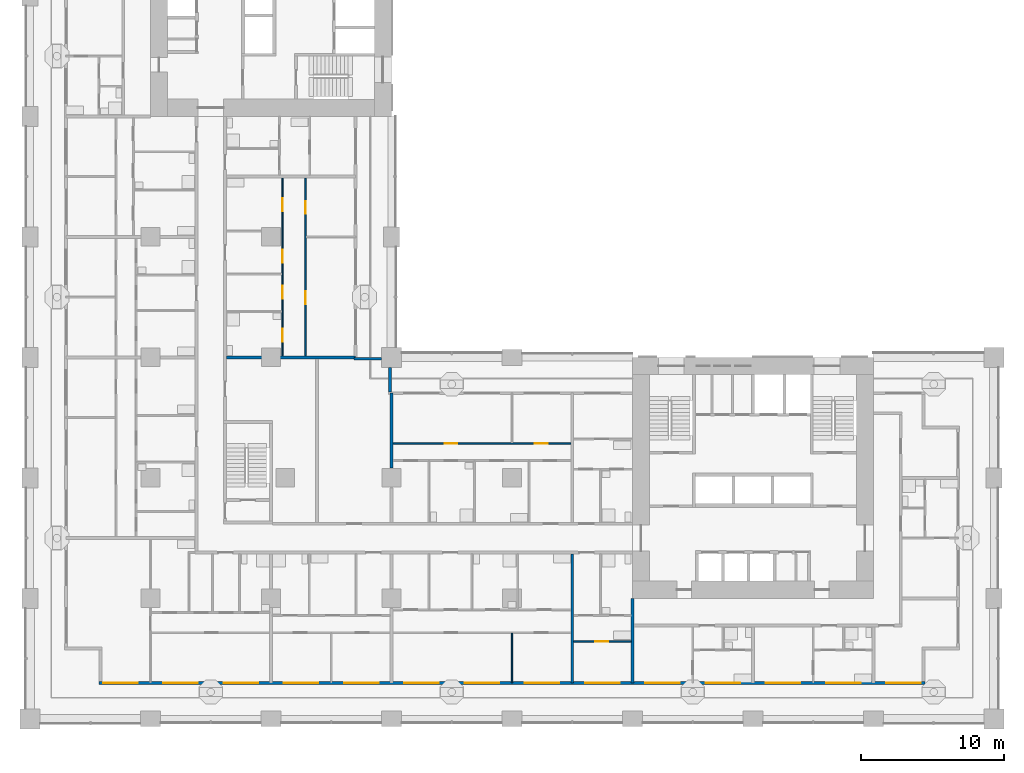
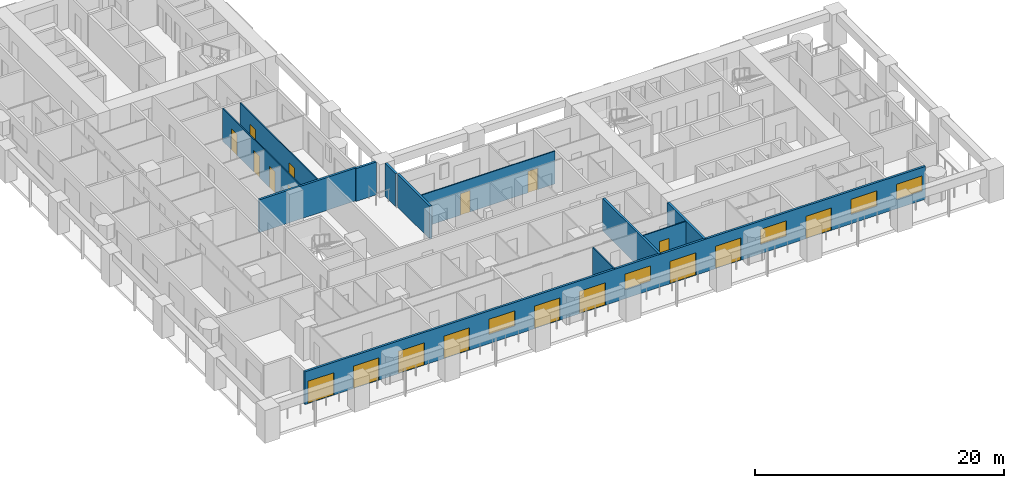
# One storey, part 5 of 22: 18 doors, 12 walls, 5 windows, 23 openings.
"""IFC4 building model written with IfcOpenShell, lengths in metres."""

from ifc_helpers import new_model, si_unit, direction, frame, frame_2d, origin, place, context, subcontext, project, spatial, rectangle, extrude, material, layer, layer_set, type_object, element, fill, save


model = new_model("IFC4")

# Units and contexts
model_context = context("Model", 3, precision=1e-05, world=origin(), true_north=direction((0.0, 1.0)))
body_context = subcontext(model_context, "Body", "Model", "MODEL_VIEW")
ifc_project = project(units=[si_unit("LENGTHUNIT", "METRE"), si_unit("AREAUNIT", "SQUARE_METRE"), si_unit("VOLUMEUNIT", "CUBIC_METRE"), si_unit("PLANEANGLEUNIT", "RADIAN"), si_unit("MASSUNIT", "GRAM", prefix="KILO")], contexts=[model_context])

# Site, building, storey
site_placement = place(None, origin())
site = spatial("IfcSite", under=ifc_project, at=site_placement, CompositionType="ELEMENT")
building_placement = place(site_placement, origin())
building = spatial("IfcBuilding", under=site, at=building_placement, Name="Vermilion Gate Residences", CompositionType="ELEMENT")
storey_placement = place(building_placement, frame((0.0, 0.0, 63.699951171875)))
storey = spatial("IfcBuildingStorey", under=building, at=storey_placement, Name="L15", CompositionType="ELEMENT", Elevation=63.699951171875)

# Wall, openings, doors, windows
ifc_material_1 = material(Name="Insulated steel stud wall with terracotta rainscreen", Category="masonry")
ifc_layer_1 = layer(ifc_material_1, 0.199951171875)
ifc_layer_set_1 = layer_set([ifc_layer_1], Name="EXTERNAL WALL 200 TERRACOTTA RAINSCREEN")
wall_type_1 = type_object("IfcWallType", Name="EXTERNAL WALL 200 TERRACOTTA RAINSCREEN", PredefinedType="SOLIDWALL", material=ifc_layer_set_1)
wall_1_placement = place(storey_placement, frame((4.800048828125, 2.5, 0.0), z_axis=(0.0, 0.0, 1.0), x_axis=(1.0, 0.0, 0.0)))
wall_1 = element("IfcWall", 1, at=wall_1_placement, inside=storey, type_object=wall_type_1, Name="External wall", PredefinedType="SOLIDWALL", context=body_context, shape_type="SweptSolid", body=[
    extrude(rectangle(XDim=57.599853515625, YDim=0.199951171875, at=frame_2d((28.7998046875, 0.0))), origin(), (0.0, 0.0, 1.0), 3.219970703125),
])
opening_1_placement = place(wall_1_placement, frame((0.300048828125, 0.0, 0.0)))
opening_1 = element("IfcOpeningElement", 2, at=opening_1_placement, cuts=wall_1, Name="Opening DE15014", PredefinedType="OPENING", context=body_context, shape_type="SweptSolid", body=[
    extrude(rectangle(XDim=2.39990234375, YDim=2.199951171875, at=frame_2d((1.199951171875, 1.10009765625))), frame((0.0, 0.10986328125, 0.0), z_axis=(0.0, -1.0, 0.0), x_axis=(1.0, 0.0, 0.0)), (0.0, 0.0, 1.0), 0.219970703125),
])
opening_2_placement = place(wall_1_placement, frame((4.5, 0.0, 0.0)))
opening_2 = element("IfcOpeningElement", 3, at=opening_2_placement, cuts=wall_1, Name="Opening DE15015", PredefinedType="OPENING", context=body_context, shape_type="SweptSolid", body=[
    extrude(rectangle(XDim=2.39990234375, YDim=2.199951171875, at=frame_2d((1.199951171875, 1.10009765625))), frame((0.0, 0.10986328125, 0.0), z_axis=(0.0, -1.0, 0.0), x_axis=(1.0, 0.0, 0.0)), (0.0, 0.0, 1.0), 0.219970703125),
])
opening_3_placement = place(wall_1_placement, frame((8.699951171875, 0.0, 0.0)))
opening_3 = element("IfcOpeningElement", 4, at=opening_3_placement, cuts=wall_1, Name="Opening DE15016", PredefinedType="OPENING", context=body_context, shape_type="SweptSolid", body=[
    extrude(rectangle(XDim=2.39990234375, YDim=2.199951171875, at=frame_2d((1.199951171875, 1.10009765625))), frame((0.0, 0.10986328125, 0.0), z_axis=(0.0, -1.0, 0.0), x_axis=(1.0, 0.0, 0.0)), (0.0, 0.0, 1.0), 0.219970703125),
])
opening_4_placement = place(wall_1_placement, frame((12.89990234375, 0.0, 0.0)))
opening_4 = element("IfcOpeningElement", 5, at=opening_4_placement, cuts=wall_1, Name="Opening DE15017", PredefinedType="OPENING", context=body_context, shape_type="SweptSolid", body=[
    extrude(rectangle(XDim=2.39990234375, YDim=2.199951171875, at=frame_2d((1.199951171875, 1.10009765625))), frame((0.0, 0.10986328125, 0.0), z_axis=(0.0, -1.0, 0.0), x_axis=(1.0, 0.0, 0.0)), (0.0, 0.0, 1.0), 0.219970703125),
])
opening_5_placement = place(wall_1_placement, frame((17.10009765625, 0.0, 0.89990234375)))
opening_5 = element("IfcOpeningElement", 6, at=opening_5_placement, cuts=wall_1, Name="Opening WE15018", PredefinedType="OPENING", context=body_context, shape_type="SweptSolid", body=[
    extrude(rectangle(XDim=2.39990234375, YDim=1.5, at=frame_2d((1.199951171875, 0.75))), frame((0.0, 0.10986328125, 0.0), z_axis=(0.0, -1.0, 0.0), x_axis=(1.0, 0.0, 0.0)), (0.0, 0.0, 1.0), 0.219970703125),
])
opening_6_placement = place(wall_1_placement, frame((21.300048828125, 0.0, 0.0)))
opening_6 = element("IfcOpeningElement", 7, at=opening_6_placement, cuts=wall_1, Name="Opening DE15019", PredefinedType="OPENING", context=body_context, shape_type="SweptSolid", body=[
    extrude(rectangle(XDim=2.39990234375, YDim=2.199951171875, at=frame_2d((1.199951171875, 1.10009765625))), frame((0.0, 0.10986328125, 0.0), z_axis=(0.0, -1.0, 0.0), x_axis=(1.0, 0.0, 0.0)), (0.0, 0.0, 1.0), 0.219970703125),
])
opening_7_placement = place(wall_1_placement, frame((25.5, 0.0, 0.0)))
opening_7 = element("IfcOpeningElement", 8, at=opening_7_placement, cuts=wall_1, Name="Opening DE15020", PredefinedType="OPENING", context=body_context, shape_type="SweptSolid", body=[
    extrude(rectangle(XDim=2.39990234375, YDim=2.199951171875, at=frame_2d((1.199951171875, 1.10009765625))), frame((0.0, 0.10986328125, 0.0), z_axis=(0.0, -1.0, 0.0), x_axis=(1.0, 0.0, 0.0)), (0.0, 0.0, 1.0), 0.219970703125),
])
opening_8_placement = place(wall_1_placement, frame((29.699951171875, 0.0, 0.89990234375)))
opening_8 = element("IfcOpeningElement", 9, at=opening_8_placement, cuts=wall_1, Name="Opening WE15021", PredefinedType="OPENING", context=body_context, shape_type="SweptSolid", body=[
    extrude(rectangle(XDim=2.39990234375, YDim=1.5, at=frame_2d((1.199951171875, 0.75))), frame((0.0, 0.10986328125, 0.0), z_axis=(0.0, -1.0, 0.0), x_axis=(1.0, 0.0, 0.0)), (0.0, 0.0, 1.0), 0.219970703125),
])
opening_9_placement = place(wall_1_placement, frame((33.89990234375, 0.0, 0.0)))
opening_9 = element("IfcOpeningElement", 10, at=opening_9_placement, cuts=wall_1, Name="Opening DE15022", PredefinedType="OPENING", context=body_context, shape_type="SweptSolid", body=[
    extrude(rectangle(XDim=2.39990234375, YDim=2.199951171875, at=frame_2d((1.199951171875, 1.10009765625))), frame((0.0, 0.10986328125, 0.0), z_axis=(0.0, -1.0, 0.0), x_axis=(1.0, 0.0, 0.0)), (0.0, 0.0, 1.0), 0.219970703125),
])
opening_10_placement = place(wall_1_placement, frame((38.10009765625, 0.0, 0.0)))
opening_10 = element("IfcOpeningElement", 11, at=opening_10_placement, cuts=wall_1, Name="Opening DE15023", PredefinedType="OPENING", context=body_context, shape_type="SweptSolid", body=[
    extrude(rectangle(XDim=2.39990234375, YDim=2.199951171875, at=frame_2d((1.199951171875, 1.10009765625))), frame((0.0, 0.10986328125, 0.0), z_axis=(0.0, -1.0, 0.0), x_axis=(1.0, 0.0, 0.0)), (0.0, 0.0, 1.0), 0.219970703125),
])
opening_11_placement = place(wall_1_placement, frame((42.300048828125, 0.0, 0.89990234375)))
opening_11 = element("IfcOpeningElement", 12, at=opening_11_placement, cuts=wall_1, Name="Opening WE15024", PredefinedType="OPENING", context=body_context, shape_type="SweptSolid", body=[
    extrude(rectangle(XDim=2.39990234375, YDim=1.5, at=frame_2d((1.199951171875, 0.75))), frame((0.0, 0.10986328125, 0.0), z_axis=(0.0, -1.0, 0.0), x_axis=(1.0, 0.0, 0.0)), (0.0, 0.0, 1.0), 0.219970703125),
])
opening_12_placement = place(wall_1_placement, frame((46.5, 0.0, 0.0)))
opening_12 = element("IfcOpeningElement", 13, at=opening_12_placement, cuts=wall_1, Name="Opening DE15025", PredefinedType="OPENING", context=body_context, shape_type="SweptSolid", body=[
    extrude(rectangle(XDim=2.39990234375, YDim=2.199951171875, at=frame_2d((1.199951171875, 1.10009765625))), frame((0.0, 0.10986328125, 0.0), z_axis=(0.0, -1.0, 0.0), x_axis=(1.0, 0.0, 0.0)), (0.0, 0.0, 1.0), 0.219970703125),
])
opening_13_placement = place(wall_1_placement, frame((50.699951171875, 0.0, 0.89990234375)))
opening_13 = element("IfcOpeningElement", 14, at=opening_13_placement, cuts=wall_1, Name="Opening WE15026", PredefinedType="OPENING", context=body_context, shape_type="SweptSolid", body=[
    extrude(rectangle(XDim=2.39990234375, YDim=1.5, at=frame_2d((1.199951171875, 0.75))), frame((0.0, 0.10986328125, 0.0), z_axis=(0.0, -1.0, 0.0), x_axis=(1.0, 0.0, 0.0)), (0.0, 0.0, 1.0), 0.219970703125),
])
opening_14_placement = place(wall_1_placement, frame((54.89990234375, 0.0, 0.89990234375)))
opening_14 = element("IfcOpeningElement", 15, at=opening_14_placement, cuts=wall_1, Name="Opening WE15027", PredefinedType="OPENING", context=body_context, shape_type="SweptSolid", body=[
    extrude(rectangle(XDim=2.39990234375, YDim=1.5, at=frame_2d((1.199951171875, 0.75))), frame((0.0, 0.10986328125, 0.0), z_axis=(0.0, -1.0, 0.0), x_axis=(1.0, 0.0, 0.0)), (0.0, 0.0, 1.0), 0.219970703125),
])
ifc_material_2 = material(Name="Aluminium and clear glass", Category="aluminium")
door_type_1 = type_object("IfcDoorType", Name="SLIDING GLAZED DOOR 2400 X 2200", OperationType="DOUBLE_DOOR_SLIDING", PredefinedType="DOOR", material=ifc_material_2)
door_1_placement = place(opening_1_placement, origin())
door_1 = element("IfcDoor", 16, at=door_1_placement, inside=storey, type_object=door_type_1, Name="Loggia sliding door", OperationType="DOUBLE_DOOR_SLIDING", OverallHeight=2.199951171875, OverallWidth=2.39990234375, PredefinedType="DOOR", context=body_context, shape_type="SweptSolid", body=[
    extrude(rectangle(XDim=2.39990234375, YDim=2.199951171875, at=frame_2d((1.199951171875, 1.10009765625))), frame((0.0, 0.02490234375, 0.0), z_axis=(0.0, -1.0, 0.0), x_axis=(1.0, 0.0, 0.0)), (0.0, 0.0, 1.0), 0.050048828125),
])
fill(opening_1, door_1)
door_2_placement = place(opening_2_placement, origin())
door_2 = element("IfcDoor", 17, at=door_2_placement, inside=storey, type_object=door_type_1, Name="Loggia sliding door", OperationType="DOUBLE_DOOR_SLIDING", OverallHeight=2.199951171875, OverallWidth=2.39990234375, PredefinedType="DOOR", context=body_context, shape_type="SweptSolid", body=[
    extrude(rectangle(XDim=2.39990234375, YDim=2.199951171875, at=frame_2d((1.199951171875, 1.10009765625))), frame((0.0, 0.02490234375, 0.0), z_axis=(0.0, -1.0, 0.0), x_axis=(1.0, 0.0, 0.0)), (0.0, 0.0, 1.0), 0.050048828125),
])
fill(opening_2, door_2)
door_3_placement = place(opening_3_placement, origin())
door_3 = element("IfcDoor", 18, at=door_3_placement, inside=storey, type_object=door_type_1, Name="Loggia sliding door", OperationType="DOUBLE_DOOR_SLIDING", OverallHeight=2.199951171875, OverallWidth=2.39990234375, PredefinedType="DOOR", context=body_context, shape_type="SweptSolid", body=[
    extrude(rectangle(XDim=2.39990234375, YDim=2.199951171875, at=frame_2d((1.199951171875, 1.10009765625))), frame((0.0, 0.02490234375, 0.0), z_axis=(0.0, -1.0, 0.0), x_axis=(1.0, 0.0, 0.0)), (0.0, 0.0, 1.0), 0.050048828125),
])
fill(opening_3, door_3)
door_4_placement = place(opening_4_placement, origin())
door_4 = element("IfcDoor", 19, at=door_4_placement, inside=storey, type_object=door_type_1, Name="Loggia sliding door", OperationType="DOUBLE_DOOR_SLIDING", OverallHeight=2.199951171875, OverallWidth=2.39990234375, PredefinedType="DOOR", context=body_context, shape_type="SweptSolid", body=[
    extrude(rectangle(XDim=2.39990234375, YDim=2.199951171875, at=frame_2d((1.199951171875, 1.10009765625))), frame((0.0, 0.02490234375, 0.0), z_axis=(0.0, -1.0, 0.0), x_axis=(1.0, 0.0, 0.0)), (0.0, 0.0, 1.0), 0.050048828125),
])
fill(opening_4, door_4)
door_5_placement = place(opening_6_placement, origin())
door_5 = element("IfcDoor", 20, at=door_5_placement, inside=storey, type_object=door_type_1, Name="Loggia sliding door", OperationType="DOUBLE_DOOR_SLIDING", OverallHeight=2.199951171875, OverallWidth=2.39990234375, PredefinedType="DOOR", context=body_context, shape_type="SweptSolid", body=[
    extrude(rectangle(XDim=2.39990234375, YDim=2.199951171875, at=frame_2d((1.199951171875, 1.10009765625))), frame((0.0, 0.02490234375, 0.0), z_axis=(0.0, -1.0, 0.0), x_axis=(1.0, 0.0, 0.0)), (0.0, 0.0, 1.0), 0.050048828125),
])
fill(opening_6, door_5)
door_6_placement = place(opening_7_placement, origin())
door_6 = element("IfcDoor", 21, at=door_6_placement, inside=storey, type_object=door_type_1, Name="Loggia sliding door", OperationType="DOUBLE_DOOR_SLIDING", OverallHeight=2.199951171875, OverallWidth=2.39990234375, PredefinedType="DOOR", context=body_context, shape_type="SweptSolid", body=[
    extrude(rectangle(XDim=2.39990234375, YDim=2.199951171875, at=frame_2d((1.199951171875, 1.10009765625))), frame((0.0, 0.02490234375, 0.0), z_axis=(0.0, -1.0, 0.0), x_axis=(1.0, 0.0, 0.0)), (0.0, 0.0, 1.0), 0.050048828125),
])
fill(opening_7, door_6)
door_7_placement = place(opening_9_placement, origin())
door_7 = element("IfcDoor", 22, at=door_7_placement, inside=storey, type_object=door_type_1, Name="Loggia sliding door", OperationType="DOUBLE_DOOR_SLIDING", OverallHeight=2.199951171875, OverallWidth=2.39990234375, PredefinedType="DOOR", context=body_context, shape_type="SweptSolid", body=[
    extrude(rectangle(XDim=2.39990234375, YDim=2.199951171875, at=frame_2d((1.199951171875, 1.10009765625))), frame((0.0, 0.02490234375, 0.0), z_axis=(0.0, -1.0, 0.0), x_axis=(1.0, 0.0, 0.0)), (0.0, 0.0, 1.0), 0.050048828125),
])
fill(opening_9, door_7)
door_8_placement = place(opening_10_placement, origin())
door_8 = element("IfcDoor", 23, at=door_8_placement, inside=storey, type_object=door_type_1, Name="Loggia sliding door", OperationType="DOUBLE_DOOR_SLIDING", OverallHeight=2.199951171875, OverallWidth=2.39990234375, PredefinedType="DOOR", context=body_context, shape_type="SweptSolid", body=[
    extrude(rectangle(XDim=2.39990234375, YDim=2.199951171875, at=frame_2d((1.199951171875, 1.10009765625))), frame((0.0, 0.02490234375, 0.0), z_axis=(0.0, -1.0, 0.0), x_axis=(1.0, 0.0, 0.0)), (0.0, 0.0, 1.0), 0.050048828125),
])
fill(opening_10, door_8)
door_9_placement = place(opening_12_placement, origin())
door_9 = element("IfcDoor", 24, at=door_9_placement, inside=storey, type_object=door_type_1, Name="Loggia sliding door", OperationType="DOUBLE_DOOR_SLIDING", OverallHeight=2.199951171875, OverallWidth=2.39990234375, PredefinedType="DOOR", context=body_context, shape_type="SweptSolid", body=[
    extrude(rectangle(XDim=2.39990234375, YDim=2.199951171875, at=frame_2d((1.199951171875, 1.10009765625))), frame((0.0, 0.02490234375, 0.0), z_axis=(0.0, -1.0, 0.0), x_axis=(1.0, 0.0, 0.0)), (0.0, 0.0, 1.0), 0.050048828125),
])
fill(opening_12, door_9)
ifc_material_3 = material(Name="Aluminium and clear glass", Category="aluminium")
window_type = type_object("IfcWindowType", Name="WINDOW 2400 X 1500", PartitioningType="SINGLE_PANEL", PredefinedType="WINDOW", material=ifc_material_3)
window_1_placement = place(opening_5_placement, origin())
window_1 = element("IfcWindow", 25, at=window_1_placement, inside=storey, type_object=window_type, Name="Window", OverallHeight=1.5, OverallWidth=2.39990234375, PartitioningType="SINGLE_PANEL", PredefinedType="WINDOW", context=body_context, shape_type="SweptSolid", body=[
    extrude(rectangle(XDim=2.39990234375, YDim=1.5, at=frame_2d((1.199951171875, 0.75))), frame((0.0, 0.030029296875, 0.0), z_axis=(0.0, -1.0, 0.0), x_axis=(1.0, 0.0, 0.0)), (0.0, 0.0, 1.0), 0.06005859375),
])
fill(opening_5, window_1)
window_2_placement = place(opening_8_placement, origin())
window_2 = element("IfcWindow", 26, at=window_2_placement, inside=storey, type_object=window_type, Name="Window", OverallHeight=1.5, OverallWidth=2.39990234375, PartitioningType="SINGLE_PANEL", PredefinedType="WINDOW", context=body_context, shape_type="SweptSolid", body=[
    extrude(rectangle(XDim=2.39990234375, YDim=1.5, at=frame_2d((1.199951171875, 0.75))), frame((0.0, 0.030029296875, 0.0), z_axis=(0.0, -1.0, 0.0), x_axis=(1.0, 0.0, 0.0)), (0.0, 0.0, 1.0), 0.06005859375),
])
fill(opening_8, window_2)
window_3_placement = place(opening_11_placement, origin())
window_3 = element("IfcWindow", 27, at=window_3_placement, inside=storey, type_object=window_type, Name="Window", OverallHeight=1.5, OverallWidth=2.39990234375, PartitioningType="SINGLE_PANEL", PredefinedType="WINDOW", context=body_context, shape_type="SweptSolid", body=[
    extrude(rectangle(XDim=2.39990234375, YDim=1.5, at=frame_2d((1.199951171875, 0.75))), frame((0.0, 0.030029296875, 0.0), z_axis=(0.0, -1.0, 0.0), x_axis=(1.0, 0.0, 0.0)), (0.0, 0.0, 1.0), 0.06005859375),
])
fill(opening_11, window_3)
window_4_placement = place(opening_13_placement, origin())
window_4 = element("IfcWindow", 28, at=window_4_placement, inside=storey, type_object=window_type, Name="Window", OverallHeight=1.5, OverallWidth=2.39990234375, PartitioningType="SINGLE_PANEL", PredefinedType="WINDOW", context=body_context, shape_type="SweptSolid", body=[
    extrude(rectangle(XDim=2.39990234375, YDim=1.5, at=frame_2d((1.199951171875, 0.75))), frame((0.0, 0.030029296875, 0.0), z_axis=(0.0, -1.0, 0.0), x_axis=(1.0, 0.0, 0.0)), (0.0, 0.0, 1.0), 0.06005859375),
])
fill(opening_13, window_4)
window_5_placement = place(opening_14_placement, origin())
window_5 = element("IfcWindow", 29, at=window_5_placement, inside=storey, type_object=window_type, Name="Window", OverallHeight=1.5, OverallWidth=2.39990234375, PartitioningType="SINGLE_PANEL", PredefinedType="WINDOW", context=body_context, shape_type="SweptSolid", body=[
    extrude(rectangle(XDim=2.39990234375, YDim=1.5, at=frame_2d((1.199951171875, 0.75))), frame((0.0, 0.030029296875, 0.0), z_axis=(0.0, -1.0, 0.0), x_axis=(1.0, 0.0, 0.0)), (0.0, 0.0, 1.0), 0.06005859375),
])
fill(opening_14, window_5)

# Walls
wall_2_placement = place(storey_placement, frame((25.10009765625, 22.800048828125, 0.0), z_axis=(0.0, 0.0, 1.0), x_axis=(0.0, 1.0, 0.0)))
element("IfcWall", 30, at=wall_2_placement, inside=storey, type_object=wall_type_1, Name="External wall", PredefinedType="SOLIDWALL", context=body_context, shape_type="SweptSolid", body=[
    extrude(rectangle(XDim=1.699951171875, YDim=0.199951171875, at=frame_2d((0.85009765625, 0.0))), origin(), (0.0, 0.0, 1.0), 3.219970703125),
])
wall_3_placement = place(storey_placement, frame((24.5, 25.10009765625, 0.0), z_axis=(0.0, 0.0, 1.0), x_axis=(-1.0, 0.0, 0.0)))
element("IfcWall", 31, at=wall_3_placement, inside=storey, type_object=wall_type_1, Name="External wall", PredefinedType="SOLIDWALL", context=body_context, shape_type="SweptSolid", body=[
    extrude(rectangle(XDim=1.89990234375, YDim=0.199951171875, at=frame_2d((0.949951171875, 0.0))), origin(), (0.0, 0.0, 1.0), 3.219970703125),
])

# Wall, opening, door
ifc_material_4 = material(Name="Plasterboard on steel studs", Category="steel")
ifc_layer_2 = layer(ifc_material_4, 0.10009765625)
ifc_layer_set_2 = layer_set([ifc_layer_2], Name="PARTITION 100")
wall_type_2 = type_object("IfcWallType", Name="PARTITION 100", PredefinedType="PARTITIONING", material=ifc_layer_set_2)
wall_4_placement = place(storey_placement, frame((37.89990234375, 5.39990234375, 0.0), z_axis=(0.0, 0.0, 1.0), x_axis=(1.0, 0.0, 0.0)))
wall_4 = element("IfcWall", 32, at=wall_4_placement, inside=storey, type_object=wall_type_2, Name="Partition", PredefinedType="PARTITIONING", context=body_context, shape_type="SweptSolid", body=[
    extrude(rectangle(XDim=4.0, YDim=0.10009765625, at=frame_2d((2.0, 0.0))), origin(), (0.0, 0.0, 1.0), 3.219970703125),
])
opening_15_placement = place(wall_4_placement, frame((1.5, 0.0, 0.0)))
opening_15 = element("IfcOpeningElement", 33, at=opening_15_placement, cuts=wall_4, Name="Opening DA13005", PredefinedType="OPENING", context=body_context, shape_type="SweptSolid", body=[
    extrude(rectangle(XDim=0.89990234375, YDim=2.10009765625, at=frame_2d((0.449951171875, 1.050048828125))), frame((0.0, 0.06005859375, 0.0), z_axis=(0.0, -1.0, 0.0), x_axis=(1.0, 0.0, 0.0)), (0.0, 0.0, 1.0), 0.1201171875),
])
ifc_material_5 = material(Name="Timber", Category="wood")
door_type_2 = type_object("IfcDoorType", Name="INTERIOR DOOR 900 X 2100", OperationType="SINGLE_SWING_LEFT", PredefinedType="DOOR", material=ifc_material_5)
door_10_placement = place(opening_15_placement, origin())
door_10 = element("IfcDoor", 34, at=door_10_placement, inside=storey, type_object=door_type_2, Name="Interior door", OperationType="SINGLE_SWING_RIGHT", OverallHeight=2.10009765625, OverallWidth=0.89990234375, PredefinedType="DOOR", context=body_context, shape_type="SweptSolid", body=[
    extrude(rectangle(XDim=0.89990234375, YDim=2.10009765625, at=frame_2d((0.449951171875, 1.050048828125))), frame((0.0, 0.02490234375, 0.0), z_axis=(0.0, -1.0, 0.0), x_axis=(1.0, 0.0, 0.0)), (0.0, 0.0, 1.0), 0.050048828125),
])
fill(opening_15, door_10)

# Wall, openings, doors
wall_5_placement = place(storey_placement, frame((25.300048828125, 19.199951171875, 0.0), z_axis=(0.0, 0.0, 1.0), x_axis=(1.0, 0.0, 0.0)))
wall_5 = element("IfcWall", 35, at=wall_5_placement, inside=storey, type_object=wall_type_2, Name="Partition", PredefinedType="PARTITIONING", context=body_context, shape_type="SweptSolid", body=[
    extrude(rectangle(XDim=12.39990234375, YDim=0.10009765625, at=frame_2d((6.199951171875, 0.0))), origin(), (0.0, 0.0, 1.0), 3.219970703125),
])
opening_16_placement = place(wall_5_placement, frame((3.60009765625, 0.0, 0.0)))
opening_16 = element("IfcOpeningElement", 36, at=opening_16_placement, cuts=wall_5, Name="Opening DA13041", PredefinedType="OPENING", context=body_context, shape_type="SweptSolid", body=[
    extrude(rectangle(XDim=0.89990234375, YDim=2.10009765625, at=frame_2d((0.449951171875, 1.050048828125))), frame((0.0, 0.06005859375, 0.0), z_axis=(0.0, -1.0, 0.0), x_axis=(1.0, 0.0, 0.0)), (0.0, 0.0, 1.0), 0.1201171875),
])
opening_17_placement = place(wall_5_placement, frame((9.89990234375, 0.0, 0.0)))
opening_17 = element("IfcOpeningElement", 37, at=opening_17_placement, cuts=wall_5, Name="Opening DA13042", PredefinedType="OPENING", context=body_context, shape_type="SweptSolid", body=[
    extrude(rectangle(XDim=0.89990234375, YDim=2.10009765625, at=frame_2d((0.449951171875, 1.050048828125))), frame((0.0, 0.06005859375, 0.0), z_axis=(0.0, -1.0, 0.0), x_axis=(1.0, 0.0, 0.0)), (0.0, 0.0, 1.0), 0.1201171875),
])
door_11_placement = place(opening_16_placement, origin())
door_11 = element("IfcDoor", 38, at=door_11_placement, inside=storey, type_object=door_type_2, Name="Interior door", OperationType="SINGLE_SWING_LEFT", OverallHeight=2.10009765625, OverallWidth=0.89990234375, PredefinedType="DOOR", context=body_context, shape_type="SweptSolid", body=[
    extrude(rectangle(XDim=0.89990234375, YDim=2.10009765625, at=frame_2d((0.449951171875, 1.050048828125))), frame((0.0, 0.02490234375, 0.0), z_axis=(0.0, -1.0, 0.0), x_axis=(1.0, 0.0, 0.0)), (0.0, 0.0, 1.0), 0.050048828125),
])
fill(opening_16, door_11)
door_12_placement = place(opening_17_placement, origin())
door_12 = element("IfcDoor", 39, at=door_12_placement, inside=storey, type_object=door_type_2, Name="Interior door", OperationType="SINGLE_SWING_LEFT", OverallHeight=2.10009765625, OverallWidth=0.89990234375, PredefinedType="DOOR", context=body_context, shape_type="SweptSolid", body=[
    extrude(rectangle(XDim=0.89990234375, YDim=2.10009765625, at=frame_2d((0.449951171875, 1.050048828125))), frame((0.0, 0.02490234375, 0.0), z_axis=(0.0, -1.0, 0.0), x_axis=(1.0, 0.0, 0.0)), (0.0, 0.0, 1.0), 0.050048828125),
])
fill(opening_17, door_12)

wall_6_placement = place(storey_placement, frame((17.60009765625, 25.300048828125, 0.0), z_axis=(0.0, 0.0, 1.0), x_axis=(0.0, 1.0, 0.0)))
wall_6 = element("IfcWall", 40, at=wall_6_placement, inside=storey, type_object=wall_type_2, Name="Partition", PredefinedType="PARTITIONING", context=body_context, shape_type="SweptSolid", body=[
    extrude(rectangle(XDim=12.39990234375, YDim=0.10009765625, at=frame_2d((6.199951171875, 0.0))), origin(), (0.0, 0.0, 1.0), 3.219970703125),
])
opening_18_placement = place(wall_6_placement, frame((6.5, 0.0, 0.0)))
opening_18 = element("IfcOpeningElement", 41, at=opening_18_placement, cuts=wall_6, Name="Opening DA13074", PredefinedType="OPENING", context=body_context, shape_type="SweptSolid", body=[
    extrude(rectangle(XDim=0.89990234375, YDim=2.10009765625, at=frame_2d((0.449951171875, 1.050048828125))), frame((0.0, 0.06005859375, 0.0), z_axis=(0.0, -1.0, 0.0), x_axis=(1.0, 0.0, 0.0)), (0.0, 0.0, 1.0), 0.1201171875),
])
opening_19_placement = place(wall_6_placement, frame((1.0, 0.0, 0.0)))
opening_19 = element("IfcOpeningElement", 42, at=opening_19_placement, cuts=wall_6, Name="Opening DA13075", PredefinedType="OPENING", context=body_context, shape_type="SweptSolid", body=[
    extrude(rectangle(XDim=0.89990234375, YDim=2.10009765625, at=frame_2d((0.449951171875, 1.050048828125))), frame((0.0, 0.06005859375, 0.0), z_axis=(0.0, -1.0, 0.0), x_axis=(1.0, 0.0, 0.0)), (0.0, 0.0, 1.0), 0.1201171875),
])
opening_20_placement = place(wall_6_placement, frame((4.0, 0.0, 0.0)))
opening_20 = element("IfcOpeningElement", 43, at=opening_20_placement, cuts=wall_6, Name="Opening DA13076", PredefinedType="OPENING", context=body_context, shape_type="SweptSolid", body=[
    extrude(rectangle(XDim=0.89990234375, YDim=2.10009765625, at=frame_2d((0.449951171875, 1.050048828125))), frame((0.0, 0.06005859375, 0.0), z_axis=(0.0, -1.0, 0.0), x_axis=(1.0, 0.0, 0.0)), (0.0, 0.0, 1.0), 0.1201171875),
])
opening_21_placement = place(wall_6_placement, frame((10.10009765625, 0.0, 0.0)))
opening_21 = element("IfcOpeningElement", 44, at=opening_21_placement, cuts=wall_6, Name="Opening DA13077", PredefinedType="OPENING", context=body_context, shape_type="SweptSolid", body=[
    extrude(rectangle(XDim=0.89990234375, YDim=2.10009765625, at=frame_2d((0.449951171875, 1.050048828125))), frame((0.0, 0.06005859375, 0.0), z_axis=(0.0, -1.0, 0.0), x_axis=(1.0, 0.0, 0.0)), (0.0, 0.0, 1.0), 0.1201171875),
])
door_13_placement = place(opening_18_placement, origin())
door_13 = element("IfcDoor", 45, at=door_13_placement, inside=storey, type_object=door_type_2, Name="Interior door", OperationType="SINGLE_SWING_RIGHT", OverallHeight=2.10009765625, OverallWidth=0.89990234375, PredefinedType="DOOR", context=body_context, shape_type="SweptSolid", body=[
    extrude(rectangle(XDim=0.89990234375, YDim=2.10009765625, at=frame_2d((0.449951171875, 1.050048828125))), frame((0.0, 0.02490234375, 0.0), z_axis=(0.0, -1.0, 0.0), x_axis=(1.0, 0.0, 0.0)), (0.0, 0.0, 1.0), 0.050048828125),
])
fill(opening_18, door_13)
door_14_placement = place(opening_19_placement, origin())
door_14 = element("IfcDoor", 46, at=door_14_placement, inside=storey, type_object=door_type_2, Name="Interior door", OperationType="SINGLE_SWING_LEFT", OverallHeight=2.10009765625, OverallWidth=0.89990234375, PredefinedType="DOOR", context=body_context, shape_type="SweptSolid", body=[
    extrude(rectangle(XDim=0.89990234375, YDim=2.10009765625, at=frame_2d((0.449951171875, 1.050048828125))), frame((0.0, 0.02490234375, 0.0), z_axis=(0.0, -1.0, 0.0), x_axis=(1.0, 0.0, 0.0)), (0.0, 0.0, 1.0), 0.050048828125),
])
fill(opening_19, door_14)
door_15_placement = place(opening_20_placement, origin())
door_15 = element("IfcDoor", 47, at=door_15_placement, inside=storey, type_object=door_type_2, Name="Interior door", OperationType="SINGLE_SWING_RIGHT", OverallHeight=2.10009765625, OverallWidth=0.89990234375, PredefinedType="DOOR", context=body_context, shape_type="SweptSolid", body=[
    extrude(rectangle(XDim=0.89990234375, YDim=2.10009765625, at=frame_2d((0.449951171875, 1.050048828125))), frame((0.0, 0.02490234375, 0.0), z_axis=(0.0, -1.0, 0.0), x_axis=(1.0, 0.0, 0.0)), (0.0, 0.0, 1.0), 0.050048828125),
])
fill(opening_20, door_15)
door_16_placement = place(opening_21_placement, origin())
door_16 = element("IfcDoor", 48, at=door_16_placement, inside=storey, type_object=door_type_2, Name="Interior door", OperationType="SINGLE_SWING_LEFT", OverallHeight=2.10009765625, OverallWidth=0.89990234375, PredefinedType="DOOR", context=body_context, shape_type="SweptSolid", body=[
    extrude(rectangle(XDim=0.89990234375, YDim=2.10009765625, at=frame_2d((0.449951171875, 1.050048828125))), frame((0.0, 0.02490234375, 0.0), z_axis=(0.0, -1.0, 0.0), x_axis=(1.0, 0.0, 0.0)), (0.0, 0.0, 1.0), 0.050048828125),
])
fill(opening_21, door_16)

wall_7_placement = place(storey_placement, frame((19.199951171875, 25.300048828125, 0.0), z_axis=(0.0, 0.0, 1.0), x_axis=(0.0, 1.0, 0.0)))
wall_7 = element("IfcWall", 49, at=wall_7_placement, inside=storey, type_object=wall_type_2, Name="Partition", PredefinedType="PARTITIONING", context=body_context, shape_type="SweptSolid", body=[
    extrude(rectangle(XDim=12.39990234375, YDim=0.10009765625, at=frame_2d((6.199951171875, 0.0))), origin(), (0.0, 0.0, 1.0), 3.219970703125),
])
opening_22_placement = place(wall_7_placement, frame((3.60009765625, 0.0, 0.0)))
opening_22 = element("IfcOpeningElement", 50, at=opening_22_placement, cuts=wall_7, Name="Opening DA13078", PredefinedType="OPENING", context=body_context, shape_type="SweptSolid", body=[
    extrude(rectangle(XDim=0.89990234375, YDim=2.10009765625, at=frame_2d((0.449951171875, 1.050048828125))), frame((0.0, 0.06005859375, 0.0), z_axis=(0.0, -1.0, 0.0), x_axis=(1.0, 0.0, 0.0)), (0.0, 0.0, 1.0), 0.1201171875),
])
opening_23_placement = place(wall_7_placement, frame((9.89990234375, 0.0, 0.0)))
opening_23 = element("IfcOpeningElement", 51, at=opening_23_placement, cuts=wall_7, Name="Opening DA13079", PredefinedType="OPENING", context=body_context, shape_type="SweptSolid", body=[
    extrude(rectangle(XDim=0.89990234375, YDim=2.10009765625, at=frame_2d((0.449951171875, 1.050048828125))), frame((0.0, 0.06005859375, 0.0), z_axis=(0.0, -1.0, 0.0), x_axis=(1.0, 0.0, 0.0)), (0.0, 0.0, 1.0), 0.1201171875),
])
door_17_placement = place(opening_22_placement, frame((0.89990234375, 0.0, 0.0), z_axis=(0.0, 0.0, 1.0), x_axis=(-1.0, 0.0, 0.0)))
door_17 = element("IfcDoor", 52, at=door_17_placement, inside=storey, type_object=door_type_2, Name="Interior door", OperationType="SINGLE_SWING_RIGHT", OverallHeight=2.10009765625, OverallWidth=0.89990234375, PredefinedType="DOOR", context=body_context, shape_type="SweptSolid", body=[
    extrude(rectangle(XDim=0.89990234375, YDim=2.10009765625, at=frame_2d((0.449951171875, 1.050048828125))), frame((0.0, 0.02490234375, 0.0), z_axis=(0.0, -1.0, 0.0), x_axis=(1.0, 0.0, 0.0)), (0.0, 0.0, 1.0), 0.050048828125),
])
fill(opening_22, door_17)
door_18_placement = place(opening_23_placement, frame((0.89990234375, 0.0, 0.0), z_axis=(0.0, 0.0, 1.0), x_axis=(-1.0, 0.0, 0.0)))
door_18 = element("IfcDoor", 53, at=door_18_placement, inside=storey, type_object=door_type_2, Name="Interior door", OperationType="SINGLE_SWING_RIGHT", OverallHeight=2.10009765625, OverallWidth=0.89990234375, PredefinedType="DOOR", context=body_context, shape_type="SweptSolid", body=[
    extrude(rectangle(XDim=0.89990234375, YDim=2.10009765625, at=frame_2d((0.449951171875, 1.050048828125))), frame((0.0, 0.02490234375, 0.0), z_axis=(0.0, -1.0, 0.0), x_axis=(1.0, 0.0, 0.0)), (0.0, 0.0, 1.0), 0.050048828125),
])
fill(opening_23, door_18)

# Walls
wall_8_placement = place(storey_placement, frame((33.60009765625, 2.5, 0.0), z_axis=(0.0, 0.0, 1.0), x_axis=(0.0, 1.0, 0.0)))
element("IfcWall", 54, at=wall_8_placement, inside=storey, type_object=wall_type_2, Name="Partition", PredefinedType="PARTITIONING", context=body_context, shape_type="SweptSolid", body=[
    extrude(rectangle(XDim=3.449951171875, YDim=0.10009765625, at=frame_2d((1.72509765625, 0.0))), origin(), (0.0, 0.0, 1.0), 3.219970703125),
])
ifc_material_6 = material(Name="Fire-rated plasterboard on steel studs", Category="steel")
ifc_layer_3 = layer(ifc_material_6, 0.199951171875)
ifc_layer_set_3 = layer_set([ifc_layer_3], Name="PARTY WALL 200 EI 120")
wall_type_3 = type_object("IfcWallType", Name="PARTY WALL 200 EI 120", PredefinedType="PARTITIONING", material=ifc_layer_set_3)
wall_9_placement = place(storey_placement, frame((13.699951171875, 25.199951171875, 0.0), z_axis=(0.0, 0.0, 1.0), x_axis=(1.0, 0.0, 0.0)))
element("IfcWall", 55, at=wall_9_placement, inside=storey, type_object=wall_type_3, Name="Party and corridor wall", PredefinedType="PARTITIONING", context=body_context, shape_type="SweptSolid", body=[
    extrude(rectangle(XDim=9.0, YDim=0.199951171875, at=frame_2d((4.5, 0.0))), origin(), (0.0, 0.0, 1.0), 3.219970703125),
])
wall_10_placement = place(storey_placement, frame((25.199951171875, 17.5, 0.0), z_axis=(0.0, 0.0, 1.0), x_axis=(0.0, 1.0, 0.0)))
element("IfcWall", 56, at=wall_10_placement, inside=storey, type_object=wall_type_3, Name="Party and corridor wall", PredefinedType="PARTITIONING", context=body_context, shape_type="SweptSolid", body=[
    extrude(rectangle(XDim=5.199951171875, YDim=0.199951171875, at=frame_2d((2.60009765625, 0.0))), origin(), (0.0, 0.0, 1.0), 3.219970703125),
])
wall_11_placement = place(storey_placement, frame((37.800048828125, 2.5, 0.0), z_axis=(0.0, 0.0, 1.0), x_axis=(0.0, 1.0, 0.0)))
element("IfcWall", 57, at=wall_11_placement, inside=storey, type_object=wall_type_3, Name="Party and corridor wall", PredefinedType="PARTITIONING", context=body_context, shape_type="SweptSolid", body=[
    extrude(rectangle(XDim=9.0, YDim=0.199951171875, at=frame_2d((4.5, 0.0))), origin(), (0.0, 0.0, 1.0), 3.219970703125),
])
wall_12_placement = place(storey_placement, frame((42.0, 2.5, 0.0), z_axis=(0.0, 0.0, 1.0), x_axis=(0.0, 1.0, 0.0)))
element("IfcWall", 58, at=wall_12_placement, inside=storey, type_object=wall_type_3, Name="Party and corridor wall", PredefinedType="PARTITIONING", context=body_context, shape_type="SweptSolid", body=[
    extrude(rectangle(XDim=5.89990234375, YDim=0.199951171875, at=frame_2d((2.949951171875, 0.0))), origin(), (0.0, 0.0, 1.0), 3.219970703125),
])

save(model, "model.ifc")
